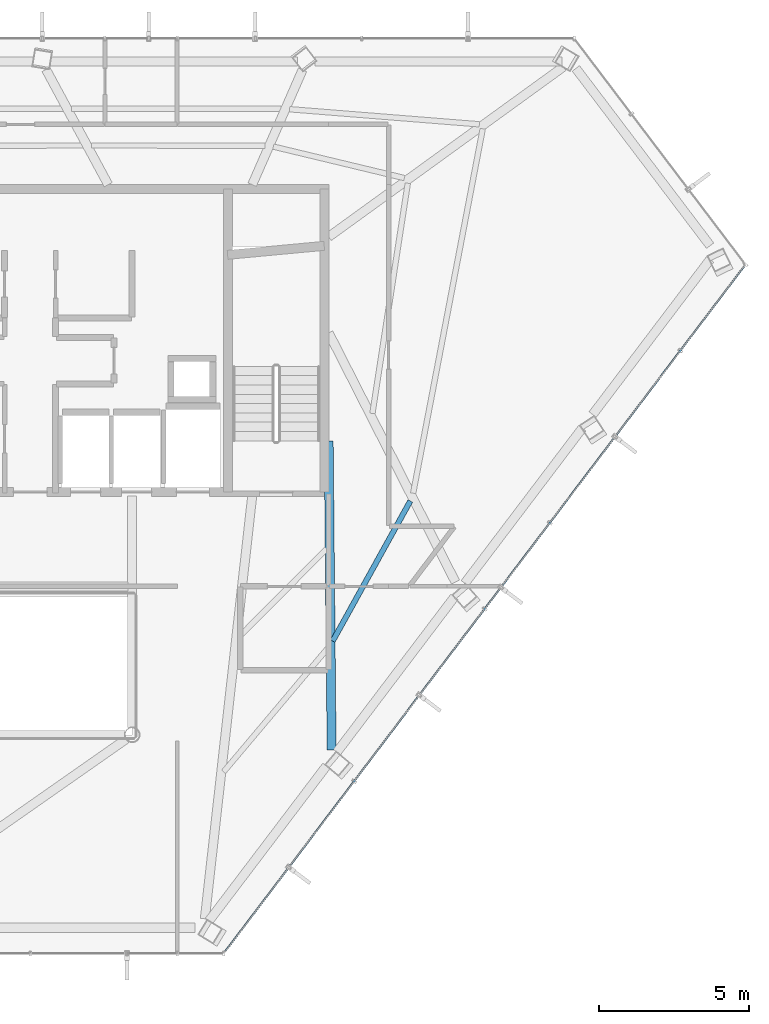
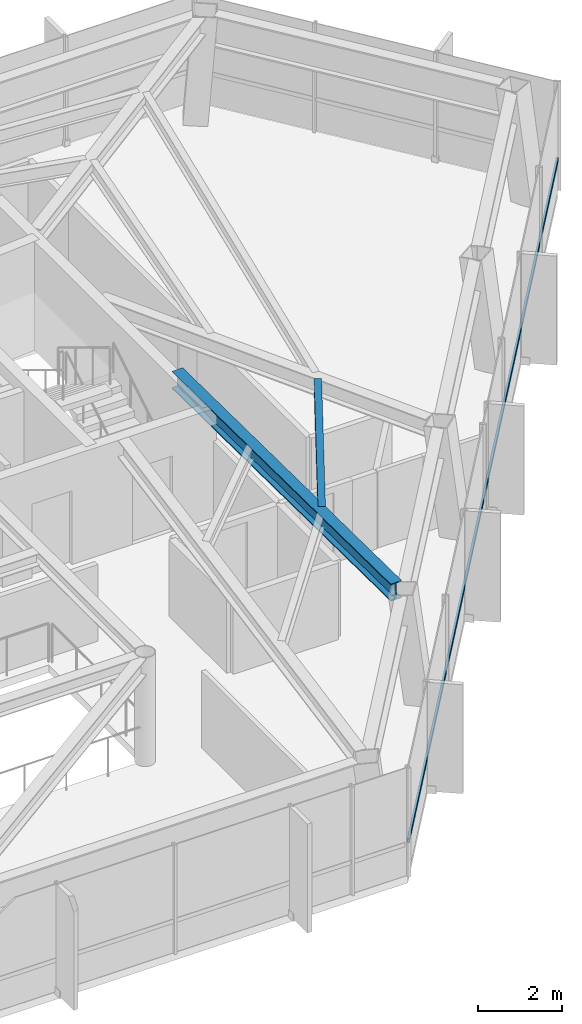
# One storey, part 17 of 27: 2 beams, 1 member, 1 element without a shape of its own.
"""IFC4 building model written with IfcOpenShell, lengths in metres."""

from ifc_helpers import new_model, si_unit, direction, frame, origin, origin_2d, place, context, subcontext, project, spatial, hollow_rectangle, i_section, extrude, material, layer, layer_set, material_profile, profile_set, type_object, element, aggregate, save


model = new_model("IFC4")

# Units and contexts
model_context = context("Model", 3, precision=1e-05, world=origin(), true_north=direction((0.0, 1.0)))
body_context = subcontext(model_context, "Body", "Model", "MODEL_VIEW")
ifc_project = project(units=[si_unit("LENGTHUNIT", "METRE"), si_unit("AREAUNIT", "SQUARE_METRE"), si_unit("VOLUMEUNIT", "CUBIC_METRE"), si_unit("PLANEANGLEUNIT", "RADIAN"), si_unit("MASSUNIT", "GRAM", prefix="KILO")], contexts=[model_context])

# Site, building, storey
site_placement = place(None, origin())
site = spatial("IfcSite", under=ifc_project, at=site_placement, CompositionType="ELEMENT")
building_placement = place(site_placement, origin())
building = spatial("IfcBuilding", under=site, at=building_placement, Name="Zarrinselat Tower", CompositionType="ELEMENT")
storey_placement = place(building_placement, frame((0.0, 0.0, 215.56005859375)))
storey = spatial("IfcBuildingStorey", under=building, at=storey_placement, Name="L53", CompositionType="ELEMENT", Elevation=215.56005859375)

# Beams
ifc_material_1 = material(Name="Steel S355J2", Category="steel")
ifc_material_profile_1 = material_profile(ifc_material_1, i_section(OverallWidth=0.300048828125, OverallDepth=0.5, WebThickness=0.014404296875, FlangeThickness=0.028076171875, at=origin_2d()), Name="HEB 500")
ifc_profile_set_1 = profile_set([ifc_material_profile_1], Name="Steel S355J2")
beam_type_1 = type_object("IfcBeamType", Name="BM-HEB500", PredefinedType="BEAM", material=ifc_profile_set_1)
beam_1_placement = place(storey_placement, frame((48.35009765625, 35.0, 2.929931640625), z_axis=(0.009453657709, -0.99995531318, 0.0), x_axis=(0.99995531318, 0.009453657709, 0.0)))
element("IfcBeam", 1, at=beam_1_placement, inside=storey, type_object=beam_type_1, Name="L53 Radial Primary Girder RG12", PredefinedType="BEAM", context=body_context, shape_type="SweptSolid", body=[
    extrude(i_section(OverallWidth=0.300048828125, OverallDepth=0.5, WebThickness=0.014404296875, FlangeThickness=0.028076171875, at=origin_2d()), origin(), (0.0, 0.0, 1.0), 10.30419921875),
])
ifc_material_2 = material(Name="Steel S355J2", Category="steel")
ifc_material_profile_2 = material_profile(ifc_material_2, i_section(OverallWidth=0.179931640625, OverallDepth=0.39990234375, WebThickness=0.008544921875, FlangeThickness=0.013427734375, at=origin_2d()), Name="IPE 400")
ifc_profile_set_2 = profile_set([ifc_material_profile_2], Name="Steel S355J2")
beam_type_2 = type_object("IfcBeamType", Name="BM-IPE400", PredefinedType="JOIST", material=ifc_profile_set_2)
beam_2_placement = place(storey_placement, frame((48.482421875, 28.322021484375, 2.97998046875), z_axis=(0.484785015055, 0.874633345567, 0.0), x_axis=(-0.874633345567, 0.484785015055, 0.0)))
element("IfcBeam", 2, at=beam_2_placement, inside=storey, type_object=beam_type_2, Name="L53 Composite Floor Joist 4-1", PredefinedType="JOIST", context=body_context, shape_type="SweptSolid", body=[
    extrude(i_section(OverallWidth=0.179931640625, OverallDepth=0.39990234375, WebThickness=0.008544921875, FlangeThickness=0.013427734375, at=origin_2d()), origin(), (0.0, 0.0, 1.0), 5.34130859375),
])

# Curtain wall, member
ifc_material_3 = material(Name="Extruded Aluminium Alloy EN AW-6063 T6", Category="aluminium")
ifc_layer = layer(ifc_material_3, 0.169921875)
ifc_layer_set = layer_set([ifc_layer], Name="Extruded Aluminium Alloy EN AW-6063 T6")
curtain_wall_type = type_object("IfcCurtainWallType", Name="CWS-RES", PredefinedType="NOTDEFINED", material=ifc_layer_set)
curtain_wall_placement = place(storey_placement, origin())
curtain_wall = element("IfcCurtainWall", 3, at=curtain_wall_placement, inside=storey, type_object=curtain_wall_type, Name="L53 Unitised Curtain Wall CW-L53-E05", PredefinedType="NOTDEFINED")
ifc_material_4 = material(Name="Extruded Aluminium Alloy EN AW-6063 T6", Category="aluminium")
ifc_material_profile_3 = material_profile(ifc_material_4, hollow_rectangle(XDim=0.06005859375, YDim=0.1201171875, WallThickness=0.00390625, at=origin_2d()), Name="RHS 120x60x4")
ifc_profile_set_3 = profile_set([ifc_material_profile_3], Name="Extruded Aluminium Alloy EN AW-6063 T6")
member_type = type_object("IfcMemberType", Name="MEM-CW-TRN2", PredefinedType="USERDEFINED", material=ifc_profile_set_3)
member_placement = place(storey_placement, frame((44.9033203125, 17.982177734375, 0.949951171875), z_axis=(0.603859165425, 0.797091028887, 0.0), x_axis=(-0.797091028887, 0.603859165425, 0.0)))
member = element("IfcMember", 4, at=member_placement, type_object=member_type, Name="CW-L53-E05 Transom 1", ObjectType="TRANSOM", PredefinedType="USERDEFINED", context=body_context, shape_type="SweptSolid", body=[
    extrude(hollow_rectangle(XDim=0.06005859375, YDim=0.1201171875, WallThickness=0.00390625, at=origin_2d()), origin(), (0.0, 0.0, 1.0), 28.6337890625),
])
aggregate(curtain_wall, [member])

save(model, "model.ifc")
